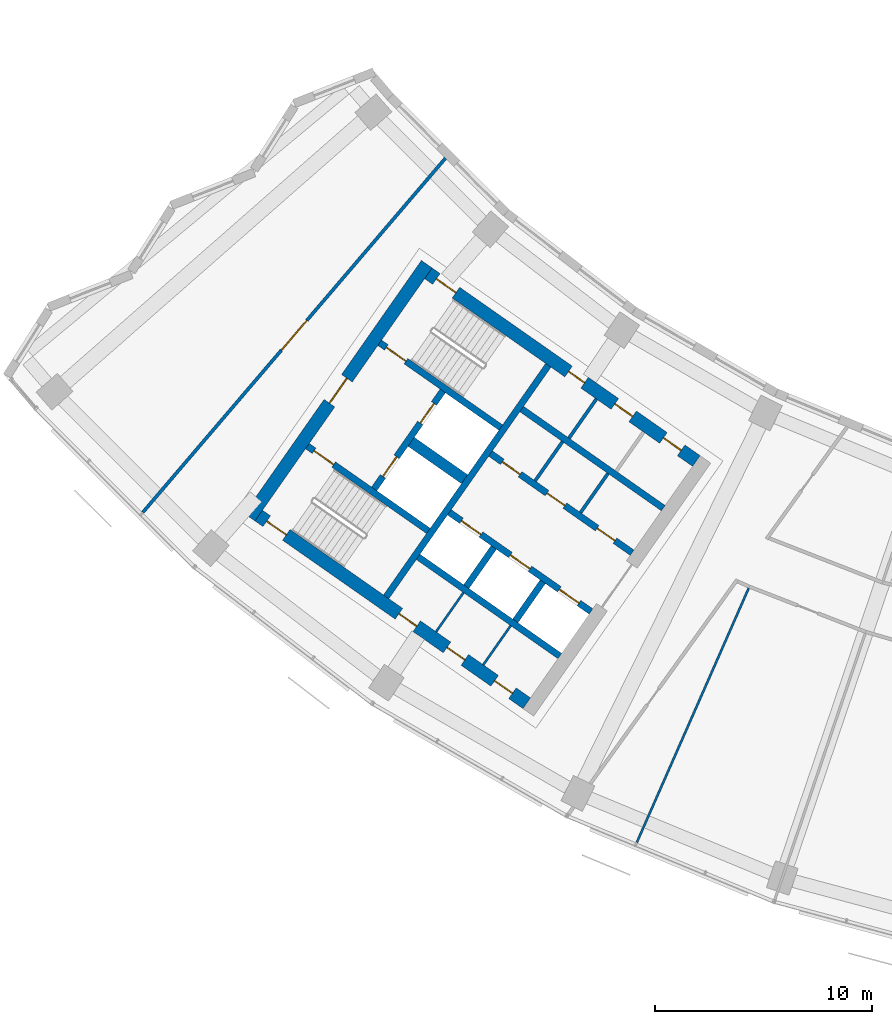
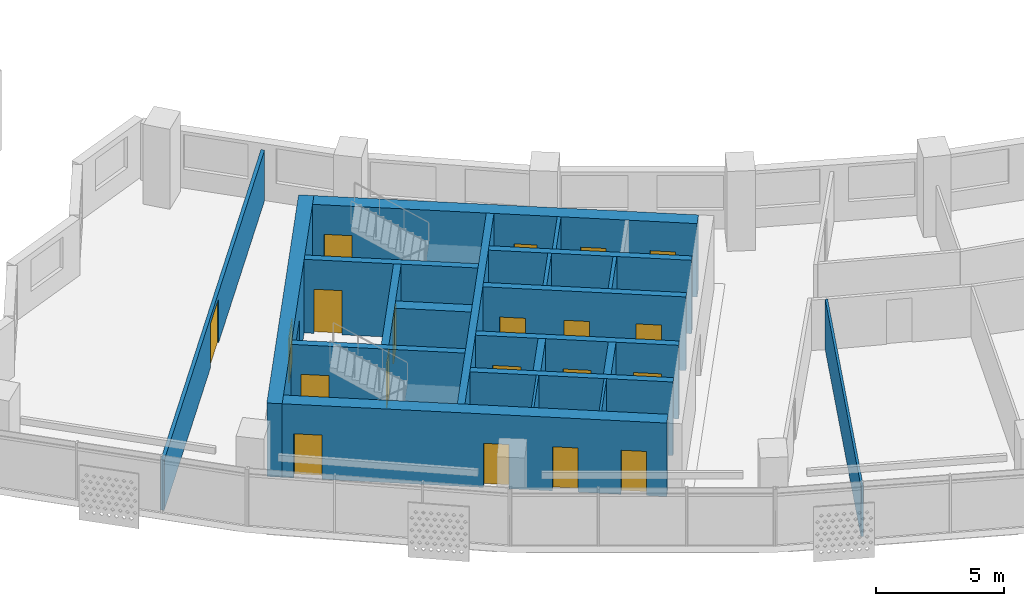
# One storey, part 3 of 26: 21 walls, 20 doors, 20 openings.
"""IFC4 building model written with IfcOpenShell, lengths in metres."""

from ifc_helpers import new_model, si_unit, direction, frame, frame_2d, origin, place, context, subcontext, project, spatial, rectangle, extrude, material, layer, layer_set, type_object, element, fill, save


model = new_model("IFC4")

# Units and contexts
model_context = context("Model", 3, precision=1e-05, world=origin(), true_north=direction((0.0, 1.0)))
body_context = subcontext(model_context, "Body", "Model", "MODEL_VIEW")
ifc_project = project(units=[si_unit("LENGTHUNIT", "METRE"), si_unit("AREAUNIT", "SQUARE_METRE"), si_unit("VOLUMEUNIT", "CUBIC_METRE"), si_unit("PLANEANGLEUNIT", "RADIAN"), si_unit("MASSUNIT", "GRAM", prefix="KILO")], contexts=[model_context])

# Site, building, storey
site_placement = place(None, origin())
site = spatial("IfcSite", under=ifc_project, at=site_placement, CompositionType="ELEMENT")
building_placement = place(site_placement, origin())
building = spatial("IfcBuilding", under=site, at=building_placement, Name="Qamariyya Broadcast Tower", CompositionType="ELEMENT")
storey_placement = place(building_placement, frame((0.0, 0.0, 160.699951171875)))
storey = spatial("IfcBuildingStorey", under=building, at=storey_placement, Name="L37", CompositionType="ELEMENT", Elevation=160.699951171875)

# Wall, opening, door
ifc_material_1 = material(Name="Concrete C60/75", Category="concrete")
ifc_layer_1 = layer(ifc_material_1, 0.60009765625)
ifc_layer_set_1 = layer_set([ifc_layer_1], Name="Core wall 600 mm Concrete C60/75")
wall_type_1 = type_object("IfcWallType", Name="Core wall 600 mm Concrete C60/75", PredefinedType="SHEAR", material=ifc_layer_set_1)
wall_1_placement = place(storey_placement, frame((-49.4833984375, -57.031494140625, 0.0), z_axis=(0.0, 0.0, 1.0), x_axis=(0.573560421458, 0.819163257805, 0.0)))
wall_1 = element("IfcWall", 1, at=wall_1_placement, inside=storey, type_object=wall_type_1, Name="k-W-L37-WH", PredefinedType="SHEAR", context=body_context, shape_type="SweptSolid", body=[
    extrude(rectangle(XDim=14.199951171875, YDim=0.60009765625, at=frame_2d((7.10009765625, 0.0))), origin(), (0.0, 0.0, 1.0), 3.5),
])
opening_1_placement = place(wall_1_placement, frame((6.39990234375, 0.0, 0.0)))
opening_1 = element("IfcOpeningElement", 2, at=opening_1_placement, cuts=wall_1, Name="Opening KD2-W1", PredefinedType="OPENING", context=body_context, shape_type="SweptSolid", body=[
    extrude(rectangle(XDim=1.39990234375, YDim=2.10009765625, at=frame_2d((0.699951171875, 1.050048828125))), frame((0.0, 0.31005859375, 0.0), z_axis=(0.0, -1.0, 0.0), x_axis=(1.0, 0.0, 0.0)), (0.0, 0.0, 1.0), 0.6201171875),
])
ifc_material_2 = material(Name="Steel fire-resisting door leaf", Category="steel")
door_type_1 = type_object("IfcDoorType", Name="Fire-fighting lobby door KD2", OperationType="DOUBLE_DOOR_SINGLE_SWING", PredefinedType="DOOR", material=ifc_material_2)
door_1_placement = place(opening_1_placement, origin())
door_1 = element("IfcDoor", 3, at=door_1_placement, inside=storey, type_object=door_type_1, Name="k-W-L37-WH-D16", OperationType="DOUBLE_DOOR_SINGLE_SWING", OverallHeight=2.10009765625, OverallWidth=1.39990234375, PredefinedType="DOOR", context=body_context, shape_type="SweptSolid", body=[
    extrude(rectangle(XDim=1.39990234375, YDim=2.10009765625, at=frame_2d((0.699951171875, 1.050048828125))), frame((0.0, 0.02490234375, 0.0), z_axis=(0.0, -1.0, 0.0), x_axis=(1.0, 0.0, 0.0)), (0.0, 0.0, 1.0), 0.050048828125),
])
fill(opening_1, door_1)

# Wall, openings, doors
wall_2_placement = place(storey_placement, frame((-28.940673828125, -54.447021484375, 0.0), z_axis=(0.0, 0.0, 1.0), x_axis=(-0.819153391756, 0.573574511963, 0.0)))
wall_2 = element("IfcWall", 4, at=wall_2_placement, inside=storey, type_object=wall_type_1, Name="k-W-L37-WI", PredefinedType="SHEAR", context=body_context, shape_type="SweptSolid", body=[
    extrude(rectangle(XDim=15.04541015625, YDim=0.60009765625, at=frame_2d((7.522705078125, 0.0))), origin(), (0.0, 0.0, 1.0), 3.5),
])
opening_2_placement = place(wall_2_placement, frame((0.85009765625, 0.0, 0.0)))
opening_2 = element("IfcOpeningElement", 5, at=opening_2_placement, cuts=wall_2, Name="Opening KD6-W3", PredefinedType="OPENING", context=body_context, shape_type="SweptSolid", body=[
    extrude(rectangle(XDim=1.0, YDim=2.10009765625, at=frame_2d((0.5, 1.050048828125))), frame((0.0, 0.31005859375, 0.0), z_axis=(0.0, -1.0, 0.0), x_axis=(1.0, 0.0, 0.0)), (0.0, 0.0, 1.0), 0.6201171875),
])
opening_3_placement = place(wall_2_placement, frame((3.574951171875, 0.0, 0.0)))
opening_3 = element("IfcOpeningElement", 6, at=opening_3_placement, cuts=wall_2, Name="Opening KD7-W1", PredefinedType="OPENING", context=body_context, shape_type="SweptSolid", body=[
    extrude(rectangle(XDim=1.0, YDim=2.10009765625, at=frame_2d((0.5, 1.050048828125))), frame((0.0, 0.31005859375, 0.0), z_axis=(0.0, -1.0, 0.0), x_axis=(1.0, 0.0, 0.0)), (0.0, 0.0, 1.0), 0.6201171875),
])
opening_4_placement = place(wall_2_placement, frame((6.27490234375, 0.0, 0.0)))
opening_4 = element("IfcOpeningElement", 7, at=opening_4_placement, cuts=wall_2, Name="Opening KD5-W1", PredefinedType="OPENING", context=body_context, shape_type="SweptSolid", body=[
    extrude(rectangle(XDim=0.89990234375, YDim=2.10009765625, at=frame_2d((0.449951171875, 1.050048828125))), frame((0.0, 0.31005859375, 0.0), z_axis=(0.0, -1.0, 0.0), x_axis=(1.0, 0.0, 0.0)), (0.0, 0.0, 1.0), 0.6201171875),
])
opening_5_placement = place(wall_2_placement, frame((13.495361328125, 0.0, 0.0)))
opening_5 = element("IfcOpeningElement", 8, at=opening_5_placement, cuts=wall_2, Name="Opening KD1-W1", PredefinedType="OPENING", context=body_context, shape_type="SweptSolid", body=[
    extrude(rectangle(XDim=1.10009765625, YDim=2.10009765625, at=frame_2d((0.550048828125, 1.050048828125))), frame((0.0, 0.31005859375, 0.0), z_axis=(0.0, -1.0, 0.0), x_axis=(1.0, 0.0, 0.0)), (0.0, 0.0, 1.0), 0.6201171875),
])
door_type_2 = type_object("IfcDoorType", Name="Accessible toilet door KD7", OperationType="SINGLE_SWING_LEFT", PredefinedType="DOOR", material=ifc_material_2)
door_2_placement = place(opening_3_placement, origin())
door_2 = element("IfcDoor", 9, at=door_2_placement, inside=storey, type_object=door_type_2, Name="k-W-L37-WI-D9", OperationType="SINGLE_SWING_RIGHT", OverallHeight=2.10009765625, OverallWidth=1.0, PredefinedType="DOOR", context=body_context, shape_type="SweptSolid", body=[
    extrude(rectangle(XDim=1.0, YDim=2.10009765625, at=frame_2d((0.5, 1.050048828125))), frame((0.0, 0.02490234375, 0.0), z_axis=(0.0, -1.0, 0.0), x_axis=(1.0, 0.0, 0.0)), (0.0, 0.0, 1.0), 0.050048828125),
])
fill(opening_3, door_2)
door_type_3 = type_object("IfcDoorType", Name="Core room door KD6", OperationType="SINGLE_SWING_LEFT", PredefinedType="DOOR", material=ifc_material_2)
door_3_placement = place(opening_2_placement, origin())
door_3 = element("IfcDoor", 10, at=door_3_placement, inside=storey, type_object=door_type_3, Name="k-W-L37-WI-D8", OperationType="SINGLE_SWING_LEFT", OverallHeight=2.10009765625, OverallWidth=1.0, PredefinedType="DOOR", context=body_context, shape_type="SweptSolid", body=[
    extrude(rectangle(XDim=1.0, YDim=2.10009765625, at=frame_2d((0.5, 1.050048828125))), frame((0.0, 0.02490234375, 0.0), z_axis=(0.0, -1.0, 0.0), x_axis=(1.0, 0.0, 0.0)), (0.0, 0.0, 1.0), 0.050048828125),
])
fill(opening_2, door_3)
door_type_4 = type_object("IfcDoorType", Name="Stair door KD1", OperationType="SINGLE_SWING_LEFT", PredefinedType="DOOR", material=ifc_material_2)
door_4_placement = place(opening_5_placement, origin())
door_4 = element("IfcDoor", 11, at=door_4_placement, inside=storey, type_object=door_type_4, Name="k-W-L37-WI-D17", OperationType="SINGLE_SWING_RIGHT", OverallHeight=2.10009765625, OverallWidth=1.10009765625, PredefinedType="DOOR", context=body_context, shape_type="SweptSolid", body=[
    extrude(rectangle(XDim=1.10009765625, YDim=2.10009765625, at=frame_2d((0.550048828125, 1.050048828125))), frame((0.0, 0.02490234375, 0.0), z_axis=(0.0, -1.0, 0.0), x_axis=(1.0, 0.0, 0.0)), (0.0, 0.0, 1.0), 0.050048828125),
])
fill(opening_5, door_4)
door_type_5 = type_object("IfcDoorType", Name="Toilet door KD5", OperationType="SINGLE_SWING_LEFT", PredefinedType="DOOR", material=ifc_material_2)
door_5_placement = place(opening_4_placement, origin())
door_5 = element("IfcDoor", 12, at=door_5_placement, inside=storey, type_object=door_type_5, Name="k-W-L37-WI-D10", OperationType="SINGLE_SWING_LEFT", OverallHeight=2.10009765625, OverallWidth=0.89990234375, PredefinedType="DOOR", context=body_context, shape_type="SweptSolid", body=[
    extrude(rectangle(XDim=0.89990234375, YDim=2.10009765625, at=frame_2d((0.449951171875, 1.050048828125))), frame((0.0, 0.02490234375, 0.0), z_axis=(0.0, -1.0, 0.0), x_axis=(1.0, 0.0, 0.0)), (0.0, 0.0, 1.0), 0.050048828125),
])
fill(opening_4, door_5)

wall_3_placement = place(storey_placement, frame((-36.7412109375, -65.58740234375, 0.0), z_axis=(0.0, 0.0, 1.0), x_axis=(-0.819153391756, 0.573574511963, 0.0)))
wall_3 = element("IfcWall", 13, at=wall_3_placement, inside=storey, type_object=wall_type_1, Name="k-W-L37-WO", PredefinedType="SHEAR", context=body_context, shape_type="SweptSolid", body=[
    extrude(rectangle(XDim=15.04541015625, YDim=0.60009765625, at=frame_2d((7.522705078125, 0.0))), origin(), (0.0, 0.0, 1.0), 3.5),
])
opening_6_placement = place(wall_3_placement, frame((0.800048828125, 0.0, 0.0)))
opening_6 = element("IfcOpeningElement", 14, at=opening_6_placement, cuts=wall_3, Name="Opening KD4-W2", PredefinedType="OPENING", context=body_context, shape_type="SweptSolid", body=[
    extrude(rectangle(XDim=1.0, YDim=2.10009765625, at=frame_2d((0.5, 1.050048828125))), frame((0.0, 0.31005859375, 0.0), z_axis=(0.0, -1.0, 0.0), x_axis=(1.0, 0.0, 0.0)), (0.0, 0.0, 1.0), 0.6201171875),
])
opening_7_placement = place(wall_3_placement, frame((3.47509765625, 0.0, 0.0)))
opening_7 = element("IfcOpeningElement", 15, at=opening_7_placement, cuts=wall_3, Name="Opening KD4-W3", PredefinedType="OPENING", context=body_context, shape_type="SweptSolid", body=[
    extrude(rectangle(XDim=1.0, YDim=2.10009765625, at=frame_2d((0.5, 1.050048828125))), frame((0.0, 0.31005859375, 0.0), z_axis=(0.0, -1.0, 0.0), x_axis=(1.0, 0.0, 0.0)), (0.0, 0.0, 1.0), 0.6201171875),
])
opening_8_placement = place(wall_3_placement, frame((6.175048828125, 0.0, 0.0)))
opening_8 = element("IfcOpeningElement", 16, at=opening_8_placement, cuts=wall_3, Name="Opening KD4-W4", PredefinedType="OPENING", context=body_context, shape_type="SweptSolid", body=[
    extrude(rectangle(XDim=1.0, YDim=2.10009765625, at=frame_2d((0.5, 1.050048828125))), frame((0.0, 0.31005859375, 0.0), z_axis=(0.0, -1.0, 0.0), x_axis=(1.0, 0.0, 0.0)), (0.0, 0.0, 1.0), 0.6201171875),
])
opening_9_placement = place(wall_3_placement, frame((13.495361328125, 0.0, 0.0)))
opening_9 = element("IfcOpeningElement", 17, at=opening_9_placement, cuts=wall_3, Name="Opening KD1-W3", PredefinedType="OPENING", context=body_context, shape_type="SweptSolid", body=[
    extrude(rectangle(XDim=1.10009765625, YDim=2.10009765625, at=frame_2d((0.550048828125, 1.050048828125))), frame((0.0, 0.31005859375, 0.0), z_axis=(0.0, -1.0, 0.0), x_axis=(1.0, 0.0, 0.0)), (0.0, 0.0, 1.0), 0.6201171875),
])
door_type_6 = type_object("IfcDoorType", Name="Riser and plant door KD4", OperationType="SINGLE_SWING_LEFT", PredefinedType="DOOR", material=ifc_material_2)
door_6_placement = place(opening_6_placement, origin())
door_6 = element("IfcDoor", 18, at=door_6_placement, inside=storey, type_object=door_type_6, Name="k-W-L37-WO-D11", OperationType="SINGLE_SWING_RIGHT", OverallHeight=2.10009765625, OverallWidth=1.0, PredefinedType="DOOR", context=body_context, shape_type="SweptSolid", body=[
    extrude(rectangle(XDim=1.0, YDim=2.10009765625, at=frame_2d((0.5, 1.050048828125))), frame((0.0, 0.02490234375, 0.0), z_axis=(0.0, -1.0, 0.0), x_axis=(1.0, 0.0, 0.0)), (0.0, 0.0, 1.0), 0.050048828125),
])
fill(opening_6, door_6)
door_7_placement = place(opening_7_placement, origin())
door_7 = element("IfcDoor", 19, at=door_7_placement, inside=storey, type_object=door_type_6, Name="k-W-L37-WO-D12", OperationType="SINGLE_SWING_LEFT", OverallHeight=2.10009765625, OverallWidth=1.0, PredefinedType="DOOR", context=body_context, shape_type="SweptSolid", body=[
    extrude(rectangle(XDim=1.0, YDim=2.10009765625, at=frame_2d((0.5, 1.050048828125))), frame((0.0, 0.02490234375, 0.0), z_axis=(0.0, -1.0, 0.0), x_axis=(1.0, 0.0, 0.0)), (0.0, 0.0, 1.0), 0.050048828125),
])
fill(opening_7, door_7)
door_8_placement = place(opening_8_placement, origin())
door_8 = element("IfcDoor", 20, at=door_8_placement, inside=storey, type_object=door_type_6, Name="k-W-L37-WO-D13", OperationType="SINGLE_SWING_RIGHT", OverallHeight=2.10009765625, OverallWidth=1.0, PredefinedType="DOOR", context=body_context, shape_type="SweptSolid", body=[
    extrude(rectangle(XDim=1.0, YDim=2.10009765625, at=frame_2d((0.5, 1.050048828125))), frame((0.0, 0.02490234375, 0.0), z_axis=(0.0, -1.0, 0.0), x_axis=(1.0, 0.0, 0.0)), (0.0, 0.0, 1.0), 0.050048828125),
])
fill(opening_8, door_8)
door_9_placement = place(opening_9_placement, origin())
door_9 = element("IfcDoor", 21, at=door_9_placement, inside=storey, type_object=door_type_4, Name="k-W-L37-WO-D19", OperationType="SINGLE_SWING_LEFT", OverallHeight=2.10009765625, OverallWidth=1.10009765625, PredefinedType="DOOR", context=body_context, shape_type="SweptSolid", body=[
    extrude(rectangle(XDim=1.10009765625, YDim=2.10009765625, at=frame_2d((0.550048828125, 1.050048828125))), frame((0.0, 0.02490234375, 0.0), z_axis=(0.0, -1.0, 0.0), x_axis=(1.0, 0.0, 0.0)), (0.0, 0.0, 1.0), 0.050048828125),
])
fill(opening_9, door_9)

# Wall, opening, door
ifc_material_3 = material(Name="Gypsum board partition")
ifc_layer_2 = layer(ifc_material_3, 0.14990234375)
ifc_layer_set_2 = layer_set([ifc_layer_2], Name="Corridor partition 150 EI 60")
wall_type_2 = type_object("IfcWallType", Name="Corridor partition 150 EI 60", PredefinedType="PARTITIONING", material=ifc_layer_set_2)
wall_4_placement = place(storey_placement, frame((-54.39404296875, -56.8076171875, 0.0), z_axis=(0.0, 0.0, 1.0), x_axis=(0.649633284071, 0.760247720303, 0.0)))
wall_4 = element("IfcWall", 22, at=wall_4_placement, inside=storey, type_object=wall_type_2, Name="Partition L37-001", PredefinedType="PARTITIONING", context=body_context, shape_type="SweptSolid", body=[
    extrude(rectangle(XDim=21.420166015625, YDim=0.14990234375, at=frame_2d((10.7099609375, 0.0))), origin(), (0.0, 0.0, 1.0), 2.400146484375),
])
opening_10_placement = place(wall_4_placement, frame((9.81005859375, 0.0, 0.0)))
opening_10 = element("IfcOpeningElement", 23, at=opening_10_placement, cuts=wall_4, Name="Opening L37-D15", PredefinedType="OPENING", context=body_context, shape_type="SweptSolid", body=[
    extrude(rectangle(XDim=1.800048828125, YDim=2.10009765625, at=frame_2d((0.89990234375, 1.050048828125))), frame((0.0, 0.0849609375, 0.0), z_axis=(0.0, -1.0, 0.0), x_axis=(1.0, 0.0, 0.0)), (0.0, 0.0, 1.0), 0.169921875),
])
ifc_material_4 = material(Name="Timber fire door leaf", Category="wood")
door_type_7 = type_object("IfcDoorType", Name="Double fire door 1800 x 2100 FD60", OperationType="NOTDEFINED", PredefinedType="DOOR", material=ifc_material_4)
door_10_placement = place(opening_10_placement, origin())
door_10 = element("IfcDoor", 24, at=door_10_placement, inside=storey, type_object=door_type_7, Name="Door L37-D15", OperationType="DOUBLE_DOOR_SINGLE_SWING", OverallHeight=2.10009765625, OverallWidth=1.800048828125, PredefinedType="DOOR", context=body_context, shape_type="SweptSolid", body=[
    extrude(rectangle(XDim=1.800048828125, YDim=2.10009765625, at=frame_2d((0.89990234375, 1.050048828125))), frame((0.0, 0.02490234375, 0.0), z_axis=(0.0, -1.0, 0.0), x_axis=(1.0, 0.0, 0.0)), (0.0, 0.0, 1.0), 0.050048828125),
])
fill(opening_10, door_10)

# Walls
ifc_layer_3 = layer(ifc_material_1, 0.5)
ifc_layer_set_3 = layer_set([ifc_layer_3], Name="Fire-fighting lobby divider wall 500 mm Concrete C60/75")
wall_type_3 = type_object("IfcWallType", Name="Fire-fighting lobby divider wall 500 mm Concrete C60/75", PredefinedType="SOLIDWALL", material=ifc_layer_set_3)
wall_5_placement = place(storey_placement, frame((-39.59912109375, -55.28515625, 0.0), z_axis=(0.0, 0.0, 1.0), x_axis=(-0.819136323161, 0.573598887793, 0.0)))
element("IfcWall", 25, at=wall_5_placement, inside=storey, type_object=wall_type_3, Name="k-W-L37-FD", PredefinedType="SOLIDWALL", context=body_context, shape_type="SweptSolid", body=[
    extrude(rectangle(XDim=2.999755859375, YDim=0.5, at=frame_2d((1.5, 0.0))), origin(), (0.0, 0.0, 1.0), 3.5),
])
ifc_material_5 = material(Name="Gypsum board partition on steel studs", Category="steel")
ifc_layer_4 = layer(ifc_material_5, 0.14990234375)
ifc_layer_set_4 = layer_set([ifc_layer_4], Name="Gypsum board partition 150 mm")
wall_type_4 = type_object("IfcWallType", Name="Gypsum board partition 150 mm", PredefinedType="PARTITIONING", material=ifc_layer_set_4)
for number, where, z_axis, x_axis, name in (
    (26, (-34.26611328125, -56.822021484375, 0.0), (0.0, 0.0, 1.0), (0.573581496053, 0.819148501424, 0.0), "k-W-L37-NC300"),
    (27, (-36.35498046875, -55.359375, 0.0), (0.0, 0.0, 1.0), (0.573581496053, 0.819148501424, 0.0), "k-W-L37-NC555"),
):
    element("IfcWall", number, at=place(storey_placement, frame(where, z_axis=z_axis, x_axis=x_axis)), inside=storey, type_object=wall_type_4, Name=name, PredefinedType="PARTITIONING", context=body_context, shape_type="SweptSolid", body=[
        extrude(rectangle(XDim=2.2001953125, YDim=0.14990234375, at=frame_2d((1.10009765625, 0.0))), origin(), (0.0, 0.0, 1.0), 3.5),
    ])
wall_6_placement = place(storey_placement, frame((-34.798095703125, -53.3974609375, 0.0), z_axis=(0.0, 0.0, 1.0), x_axis=(0.573633636671, 0.819111989218, 0.0)))
element("IfcWall", 28, at=wall_6_placement, inside=storey, type_object=wall_type_4, Name="k-W-L37-NP540", PredefinedType="PARTITIONING", context=body_context, shape_type="SweptSolid", body=[
    extrude(rectangle(XDim=2.199951171875, YDim=0.14990234375, at=frame_2d((1.10009765625, 0.0))), origin(), (0.0, 0.0, 1.0), 3.5),
])
ifc_layer_5 = layer(ifc_material_1, 0.300048828125)
ifc_layer_set_5 = layer_set([ifc_layer_5], Name="Lift shaft wall 300 mm Concrete C60/75")
wall_type_5 = type_object("IfcWallType", Name="Lift shaft wall 300 mm Concrete C60/75", PredefinedType="SOLIDWALL", material=ifc_layer_set_5)
wall_7_placement = place(storey_placement, frame((-43.204345703125, -60.69580078125, 0.0), z_axis=(0.0, 0.0, 1.0), x_axis=(0.573571992966, 0.819155155563, 0.0)))
element("IfcWall", 29, at=wall_7_placement, inside=storey, type_object=wall_type_5, Name="k-W-L37-WL", PredefinedType="SOLIDWALL", context=body_context, shape_type="SweptSolid", body=[
    extrude(rectangle(XDim=13.000244140625, YDim=0.300048828125, at=frame_2d((6.5, 0.0))), origin(), (0.0, 0.0, 1.0), 3.5),
])

# Wall, openings, doors
wall_8_placement = place(storey_placement, frame((-31.89453125, -58.66552734375, 0.0), z_axis=(0.0, 0.0, 1.0), x_axis=(-0.819166993208, 0.573555086491, 0.0)))
wall_8 = element("IfcWall", 30, at=wall_8_placement, inside=storey, type_object=wall_type_5, Name="k-W-L37-NF0", PredefinedType="SOLIDWALL", context=body_context, shape_type="SweptSolid", body=[
    extrude(rectangle(XDim=7.9501953125, YDim=0.300048828125, at=frame_2d((3.97509765625, 0.0))), origin(), (0.0, 0.0, 1.0), 3.5),
])
opening_11_placement = place(wall_8_placement, frame((0.96240234375, 0.0, 0.0)))
opening_11 = element("IfcOpeningElement", 31, at=opening_11_placement, cuts=wall_8, Name="Opening KD4-W1", PredefinedType="OPENING", context=body_context, shape_type="SweptSolid", body=[
    extrude(rectangle(XDim=1.0, YDim=2.10009765625, at=frame_2d((0.5, 1.050048828125))), frame((0.0, 0.159912109375, 0.0), z_axis=(0.0, -1.0, 0.0), x_axis=(1.0, 0.0, 0.0)), (0.0, 0.0, 1.0), 0.320068359375),
])
opening_12_placement = place(wall_8_placement, frame((3.77490234375, 0.0, 0.0)))
opening_12 = element("IfcOpeningElement", 32, at=opening_12_placement, cuts=wall_8, Name="Opening KD6-W1", PredefinedType="OPENING", context=body_context, shape_type="SweptSolid", body=[
    extrude(rectangle(XDim=1.0, YDim=2.10009765625, at=frame_2d((0.5, 1.050048828125))), frame((0.0, 0.159912109375, 0.0), z_axis=(0.0, -1.0, 0.0), x_axis=(1.0, 0.0, 0.0)), (0.0, 0.0, 1.0), 0.320068359375),
])
opening_13_placement = place(wall_8_placement, frame((6.28759765625, 0.0, 0.0)))
opening_13 = element("IfcOpeningElement", 33, at=opening_13_placement, cuts=wall_8, Name="Opening KD6-W2", PredefinedType="OPENING", context=body_context, shape_type="SweptSolid", body=[
    extrude(rectangle(XDim=1.0, YDim=2.10009765625, at=frame_2d((0.5, 1.050048828125))), frame((0.0, 0.159912109375, 0.0), z_axis=(0.0, -1.0, 0.0), x_axis=(1.0, 0.0, 0.0)), (0.0, 0.0, 1.0), 0.320068359375),
])
door_11_placement = place(opening_12_placement, origin())
door_11 = element("IfcDoor", 34, at=door_11_placement, inside=storey, type_object=door_type_3, Name="k-W-L37-NF0-D3", OperationType="SINGLE_SWING_RIGHT", OverallHeight=2.10009765625, OverallWidth=1.0, PredefinedType="DOOR", context=body_context, shape_type="SweptSolid", body=[
    extrude(rectangle(XDim=1.0, YDim=2.10009765625, at=frame_2d((0.5, 1.050048828125))), frame((0.0, 0.02490234375, 0.0), z_axis=(0.0, -1.0, 0.0), x_axis=(1.0, 0.0, 0.0)), (0.0, 0.0, 1.0), 0.050048828125),
])
fill(opening_12, door_11)
door_12_placement = place(opening_13_placement, origin())
door_12 = element("IfcDoor", 35, at=door_12_placement, inside=storey, type_object=door_type_3, Name="k-W-L37-NF0-D4", OperationType="SINGLE_SWING_LEFT", OverallHeight=2.10009765625, OverallWidth=1.0, PredefinedType="DOOR", context=body_context, shape_type="SweptSolid", body=[
    extrude(rectangle(XDim=1.0, YDim=2.10009765625, at=frame_2d((0.5, 1.050048828125))), frame((0.0, 0.02490234375, 0.0), z_axis=(0.0, -1.0, 0.0), x_axis=(1.0, 0.0, 0.0)), (0.0, 0.0, 1.0), 0.050048828125),
])
fill(opening_13, door_12)
door_13_placement = place(opening_11_placement, origin())
door_13 = element("IfcDoor", 36, at=door_13_placement, inside=storey, type_object=door_type_6, Name="k-W-L37-NF0-D2", OperationType="SINGLE_SWING_LEFT", OverallHeight=2.10009765625, OverallWidth=1.0, PredefinedType="DOOR", context=body_context, shape_type="SweptSolid", body=[
    extrude(rectangle(XDim=1.0, YDim=2.10009765625, at=frame_2d((0.5, 1.050048828125))), frame((0.0, 0.02490234375, 0.0), z_axis=(0.0, -1.0, 0.0), x_axis=(1.0, 0.0, 0.0)), (0.0, 0.0, 1.0), 0.050048828125),
])
fill(opening_11, door_13)

# Wall
wall_9_placement = place(storey_placement, frame((-30.460693359375, -56.61767578125, 0.0), z_axis=(0.0, 0.0, 1.0), x_axis=(-0.819142461705, 0.573590121456, 0.0)))
element("IfcWall", 37, at=wall_9_placement, inside=storey, type_object=wall_type_5, Name="k-W-L37-NB0", PredefinedType="SOLIDWALL", context=body_context, shape_type="SweptSolid", body=[
    extrude(rectangle(XDim=7.949951171875, YDim=0.300048828125, at=frame_2d((3.97509765625, 0.0))), origin(), (0.0, 0.0, 1.0), 3.5),
])

# Wall, openings, doors
wall_10_placement = place(storey_placement, frame((-33.787353515625, -61.368896484375, 0.0), z_axis=(0.0, 0.0, 1.0), x_axis=(-0.819152564888, 0.573575692858, 0.0)))
wall_10 = element("IfcWall", 38, at=wall_10_placement, inside=storey, type_object=wall_type_5, Name="k-W-L37-SF0", PredefinedType="SOLIDWALL", context=body_context, shape_type="SweptSolid", body=[
    extrude(rectangle(XDim=7.9501953125, YDim=0.300048828125, at=frame_2d((3.97509765625, 0.0))), origin(), (0.0, 0.0, 1.0), 3.5),
])
opening_14_placement = place(wall_10_placement, frame((0.675048828125, 0.0, 0.0)))
opening_14 = element("IfcOpeningElement", 39, at=opening_14_placement, cuts=wall_10, Name="Opening LD", PredefinedType="OPENING", context=body_context, shape_type="SweptSolid", body=[
    extrude(rectangle(XDim=1.10009765625, YDim=2.10009765625, at=frame_2d((0.550048828125, 1.050048828125))), frame((0.0, 0.159912109375, 0.0), z_axis=(0.0, -1.0, 0.0), x_axis=(1.0, 0.0, 0.0)), (0.0, 0.0, 1.0), 0.320068359375),
])
opening_15_placement = place(wall_10_placement, frame((3.425048828125, 0.0, 0.0)))
opening_15 = element("IfcOpeningElement", 40, at=opening_15_placement, cuts=wall_10, Name="Opening LD", PredefinedType="OPENING", context=body_context, shape_type="SweptSolid", body=[
    extrude(rectangle(XDim=1.10009765625, YDim=2.10009765625, at=frame_2d((0.550048828125, 1.050048828125))), frame((0.0, 0.159912109375, 0.0), z_axis=(0.0, -1.0, 0.0), x_axis=(1.0, 0.0, 0.0)), (0.0, 0.0, 1.0), 0.320068359375),
])
opening_16_placement = place(wall_10_placement, frame((6.175048828125, 0.0, 0.0)))
opening_16 = element("IfcOpeningElement", 41, at=opening_16_placement, cuts=wall_10, Name="Opening LD", PredefinedType="OPENING", context=body_context, shape_type="SweptSolid", body=[
    extrude(rectangle(XDim=1.10009765625, YDim=2.10009765625, at=frame_2d((0.550048828125, 1.050048828125))), frame((0.0, 0.159912109375, 0.0), z_axis=(0.0, -1.0, 0.0), x_axis=(1.0, 0.0, 0.0)), (0.0, 0.0, 1.0), 0.320068359375),
])
door_type_8 = type_object("IfcDoorType", Name="Lift landing door LD", OperationType="DOUBLE_DOOR_SLIDING", PredefinedType="DOOR", material=ifc_material_2)
door_14_placement = place(opening_14_placement, origin())
door_14 = element("IfcDoor", 42, at=door_14_placement, inside=storey, type_object=door_type_8, Name="k-W-L37-SF0-D5", OperationType="DOUBLE_DOOR_SLIDING", OverallHeight=2.10009765625, OverallWidth=1.10009765625, PredefinedType="DOOR", context=body_context, shape_type="SweptSolid", body=[
    extrude(rectangle(XDim=1.10009765625, YDim=2.10009765625, at=frame_2d((0.550048828125, 1.050048828125))), frame((0.0, 0.02490234375, 0.0), z_axis=(0.0, -1.0, 0.0), x_axis=(1.0, 0.0, 0.0)), (0.0, 0.0, 1.0), 0.050048828125),
])
fill(opening_14, door_14)
door_15_placement = place(opening_15_placement, origin())
door_15 = element("IfcDoor", 43, at=door_15_placement, inside=storey, type_object=door_type_8, Name="k-W-L37-SF0-D6", OperationType="DOUBLE_DOOR_SLIDING", OverallHeight=2.10009765625, OverallWidth=1.10009765625, PredefinedType="DOOR", context=body_context, shape_type="SweptSolid", body=[
    extrude(rectangle(XDim=1.10009765625, YDim=2.10009765625, at=frame_2d((0.550048828125, 1.050048828125))), frame((0.0, 0.02490234375, 0.0), z_axis=(0.0, -1.0, 0.0), x_axis=(1.0, 0.0, 0.0)), (0.0, 0.0, 1.0), 0.050048828125),
])
fill(opening_15, door_15)
door_16_placement = place(opening_16_placement, origin())
door_16 = element("IfcDoor", 44, at=door_16_placement, inside=storey, type_object=door_type_8, Name="k-W-L37-SF0-D7", OperationType="DOUBLE_DOOR_SLIDING", OverallHeight=2.10009765625, OverallWidth=1.10009765625, PredefinedType="DOOR", context=body_context, shape_type="SweptSolid", body=[
    extrude(rectangle(XDim=1.10009765625, YDim=2.10009765625, at=frame_2d((0.550048828125, 1.050048828125))), frame((0.0, 0.02490234375, 0.0), z_axis=(0.0, -1.0, 0.0), x_axis=(1.0, 0.0, 0.0)), (0.0, 0.0, 1.0), 0.050048828125),
])
fill(opening_16, door_16)

# Walls
wall_11_placement = place(storey_placement, frame((-35.22119140625, -63.41650390625, 0.0), z_axis=(0.0, 0.0, 1.0), x_axis=(-0.819166993208, 0.573555086491, 0.0)))
element("IfcWall", 45, at=wall_11_placement, inside=storey, type_object=wall_type_5, Name="k-W-L37-SB0", PredefinedType="SOLIDWALL", context=body_context, shape_type="SweptSolid", body=[
    extrude(rectangle(XDim=7.9501953125, YDim=0.300048828125, at=frame_2d((3.97509765625, 0.0))), origin(), (0.0, 0.0, 1.0), 3.5),
])
wall_12_placement = place(storey_placement, frame((-36.003173828125, -60.000244140625, 0.0), z_axis=(0.0, 0.0, 1.0), x_axis=(-0.573581496053, -0.819148501424, 0.0)))
element("IfcWall", 46, at=wall_12_placement, inside=storey, type_object=wall_type_5, Name="k-W-L37-SD0", PredefinedType="SOLIDWALL", context=body_context, shape_type="SweptSolid", body=[
    extrude(rectangle(XDim=2.2001953125, YDim=0.300048828125, at=frame_2d((1.10009765625, 0.0))), origin(), (0.0, 0.0, 1.0), 3.5),
])
wall_13_placement = place(storey_placement, frame((-38.255859375, -58.423095703125, 0.0), z_axis=(0.0, 0.0, 1.0), x_axis=(-0.573633636671, -0.819111989218, 0.0)))
element("IfcWall", 47, at=wall_13_placement, inside=storey, type_object=wall_type_5, Name="k-W-L37-SD1", PredefinedType="SOLIDWALL", context=body_context, shape_type="SweptSolid", body=[
    extrude(rectangle(XDim=2.199951171875, YDim=0.300048828125, at=frame_2d((1.10009765625, 0.0))), origin(), (0.0, 0.0, 1.0), 3.5),
])

# Wall, opening, door
wall_14_placement = place(storey_placement, frame((-37.935546875, -52.90966796875, 0.0), z_axis=(0.0, 0.0, 1.0), x_axis=(-0.819147518138, 0.57358290031, 0.0)))
wall_14 = element("IfcWall", 48, at=wall_14_placement, inside=storey, type_object=wall_type_5, Name="k-W-L37-NW", PredefinedType="SOLIDWALL", context=body_context, shape_type="SweptSolid", body=[
    extrude(rectangle(XDim=6.79541015625, YDim=0.300048828125, at=frame_2d((3.397705078125, 0.0))), origin(), (0.0, 0.0, 1.0), 3.5),
])
opening_17_placement = place(wall_14_placement, frame((5.3203125, 0.0, 0.0)))
opening_17 = element("IfcOpeningElement", 49, at=opening_17_placement, cuts=wall_14, Name="Opening KD1-W2", PredefinedType="OPENING", context=body_context, shape_type="SweptSolid", body=[
    extrude(rectangle(XDim=1.10009765625, YDim=2.10009765625, at=frame_2d((0.550048828125, 1.050048828125))), frame((0.0, 0.159912109375, 0.0), z_axis=(0.0, -1.0, 0.0), x_axis=(1.0, 0.0, 0.0)), (0.0, 0.0, 1.0), 0.320068359375),
])
door_17_placement = place(opening_17_placement, origin())
door_17 = element("IfcDoor", 50, at=door_17_placement, inside=storey, type_object=door_type_4, Name="k-W-L37-NW-D18", OperationType="SINGLE_SWING_LEFT", OverallHeight=2.10009765625, OverallWidth=1.10009765625, PredefinedType="DOOR", context=body_context, shape_type="SweptSolid", body=[
    extrude(rectangle(XDim=1.10009765625, YDim=2.10009765625, at=frame_2d((0.550048828125, 1.050048828125))), frame((0.0, 0.02490234375, 0.0), z_axis=(0.0, -1.0, 0.0), x_axis=(1.0, 0.0, 0.0)), (0.0, 0.0, 1.0), 0.050048828125),
])
fill(opening_17, door_17)

wall_15_placement = place(storey_placement, frame((-41.262451171875, -57.66064453125, 0.0), z_axis=(0.0, 0.0, 1.0), x_axis=(-0.819164398642, 0.573558792102, 0.0)))
wall_15 = element("IfcWall", 51, at=wall_15_placement, inside=storey, type_object=wall_type_5, Name="k-W-L37-SW", PredefinedType="SOLIDWALL", context=body_context, shape_type="SweptSolid", body=[
    extrude(rectangle(XDim=6.795166015625, YDim=0.300048828125, at=frame_2d((3.3974609375, 0.0))), origin(), (0.0, 0.0, 1.0), 3.5),
])
opening_18_placement = place(wall_15_placement, frame((5.3203125, 0.0, 0.0)))
opening_18 = element("IfcOpeningElement", 52, at=opening_18_placement, cuts=wall_15, Name="Opening KD1-W4", PredefinedType="OPENING", context=body_context, shape_type="SweptSolid", body=[
    extrude(rectangle(XDim=1.10009765625, YDim=2.10009765625, at=frame_2d((0.550048828125, 1.050048828125))), frame((0.0, 0.159912109375, 0.0), z_axis=(0.0, -1.0, 0.0), x_axis=(1.0, 0.0, 0.0)), (0.0, 0.0, 1.0), 0.320068359375),
])
door_18_placement = place(opening_18_placement, origin())
door_18 = element("IfcDoor", 53, at=door_18_placement, inside=storey, type_object=door_type_4, Name="k-W-L37-SW-D20", OperationType="SINGLE_SWING_LEFT", OverallHeight=2.10009765625, OverallWidth=1.10009765625, PredefinedType="DOOR", context=body_context, shape_type="SweptSolid", body=[
    extrude(rectangle(XDim=1.10009765625, YDim=2.10009765625, at=frame_2d((0.550048828125, 1.050048828125))), frame((0.0, 0.02490234375, 0.0), z_axis=(0.0, -1.0, 0.0), x_axis=(1.0, 0.0, 0.0)), (0.0, 0.0, 1.0), 0.050048828125),
])
fill(opening_18, door_18)

# Wall, openings, doors
wall_16_placement = place(storey_placement, frame((-43.756591796875, -55.731201171875, 0.0), z_axis=(0.0, 0.0, 1.0), x_axis=(0.573536818435, 0.819179783625, 0.0)))
wall_16 = element("IfcWall", 54, at=wall_16_placement, inside=storey, type_object=wall_type_5, Name="k-W-L37-FF", PredefinedType="SOLIDWALL", context=body_context, shape_type="SweptSolid", body=[
    extrude(rectangle(XDim=5.500244140625, YDim=0.300048828125, at=frame_2d((2.75, 0.0))), origin(), (0.0, 0.0, 1.0), 3.5),
])
opening_19_placement = place(wall_16_placement, frame((0.699951171875, 0.0, 0.0)))
opening_19 = element("IfcOpeningElement", 55, at=opening_19_placement, cuts=wall_16, Name="Opening LD", PredefinedType="OPENING", context=body_context, shape_type="SweptSolid", body=[
    extrude(rectangle(XDim=1.10009765625, YDim=2.10009765625, at=frame_2d((0.550048828125, 1.050048828125))), frame((0.0, 0.159912109375, 0.0), z_axis=(0.0, -1.0, 0.0), x_axis=(1.0, 0.0, 0.0)), (0.0, 0.0, 1.0), 0.320068359375),
])
opening_20_placement = place(wall_16_placement, frame((3.699951171875, 0.0, 0.0)))
opening_20 = element("IfcOpeningElement", 56, at=opening_20_placement, cuts=wall_16, Name="Opening LD", PredefinedType="OPENING", context=body_context, shape_type="SweptSolid", body=[
    extrude(rectangle(XDim=1.10009765625, YDim=2.10009765625, at=frame_2d((0.550048828125, 1.050048828125))), frame((0.0, 0.159912109375, 0.0), z_axis=(0.0, -1.0, 0.0), x_axis=(1.0, 0.0, 0.0)), (0.0, 0.0, 1.0), 0.320068359375),
])
door_19_placement = place(opening_19_placement, origin())
door_19 = element("IfcDoor", 57, at=door_19_placement, inside=storey, type_object=door_type_8, Name="k-W-L37-FF-D14", OperationType="DOUBLE_DOOR_SLIDING", OverallHeight=2.10009765625, OverallWidth=1.10009765625, PredefinedType="DOOR", context=body_context, shape_type="SweptSolid", body=[
    extrude(rectangle(XDim=1.10009765625, YDim=2.10009765625, at=frame_2d((0.550048828125, 1.050048828125))), frame((0.0, 0.02490234375, 0.0), z_axis=(0.0, -1.0, 0.0), x_axis=(1.0, 0.0, 0.0)), (0.0, 0.0, 1.0), 0.050048828125),
])
fill(opening_19, door_19)
door_20_placement = place(opening_20_placement, origin())
door_20 = element("IfcDoor", 58, at=door_20_placement, inside=storey, type_object=door_type_8, Name="k-W-L37-FF-D15", OperationType="DOUBLE_DOOR_SLIDING", OverallHeight=2.10009765625, OverallWidth=1.10009765625, PredefinedType="DOOR", context=body_context, shape_type="SweptSolid", body=[
    extrude(rectangle(XDim=1.10009765625, YDim=2.10009765625, at=frame_2d((0.550048828125, 1.050048828125))), frame((0.0, 0.02490234375, 0.0), z_axis=(0.0, -1.0, 0.0), x_axis=(1.0, 0.0, 0.0)), (0.0, 0.0, 1.0), 0.050048828125),
])
fill(opening_20, door_20)

# Walls
ifc_layer_6 = layer(ifc_material_3, 0.10009765625)
ifc_layer_set_6 = layer_set([ifc_layer_6], Name="Partition 100")
wall_type_6 = type_object("IfcWallType", Name="Partition 100", PredefinedType="PARTITIONING", material=ifc_layer_set_6)
wall_17_placement = place(storey_placement, frame((-31.677978515625, -71.988037109375, 0.0), z_axis=(0.0, 0.0, 1.0), x_axis=(0.402771917978, 0.915300378066, 0.0)))
element("IfcWall", 59, at=wall_17_placement, inside=storey, type_object=wall_type_6, Name="Partition L37-002", PredefinedType="PARTITIONING", context=body_context, shape_type="SweptSolid", body=[
    extrude(rectangle(XDim=12.774658203125, YDim=0.10009765625, at=frame_2d((6.38720703125, 0.0))), origin(), (0.0, 0.0, 1.0), 2.400146484375),
])
ifc_material_6 = material(Name="Fire-rated gypsum shaft liner on steel studs", Category="steel")
ifc_layer_7 = layer(ifc_material_6, 0.10009765625)
ifc_layer_set_7 = layer_set([ifc_layer_7], Name="Riser wall 100 mm")
wall_type_7 = type_object("IfcWallType", Name="Riser wall 100 mm", PredefinedType="PLUMBINGWALL", material=ifc_layer_set_7)
wall_18_placement = place(storey_placement, frame((-37.47802734375, -62.01953125, 0.0), z_axis=(0.0, 0.0, 1.0), x_axis=(-0.573581496053, -0.819148501424, 0.0)))
element("IfcWall", 60, at=wall_18_placement, inside=storey, type_object=wall_type_7, Name="k-W-L37-SP265", PredefinedType="PLUMBINGWALL", context=body_context, shape_type="SweptSolid", body=[
    extrude(rectangle(XDim=2.2001953125, YDim=0.10009765625, at=frame_2d((1.10009765625, 0.0))), origin(), (0.0, 0.0, 1.0), 3.5),
])
wall_19_placement = place(storey_placement, frame((-39.64892578125, -60.49951171875, 0.0), z_axis=(0.0, 0.0, 1.0), x_axis=(-0.573507030513, -0.819200638399, 0.0)))
element("IfcWall", 61, at=wall_19_placement, inside=storey, type_object=wall_type_7, Name="k-W-L37-SP530", PredefinedType="PLUMBINGWALL", context=body_context, shape_type="SweptSolid", body=[
    extrude(rectangle(XDim=2.199951171875, YDim=0.10009765625, at=frame_2d((1.10009765625, 0.0))), origin(), (0.0, 0.0, 1.0), 3.5),
])

save(model, "model.ifc")
